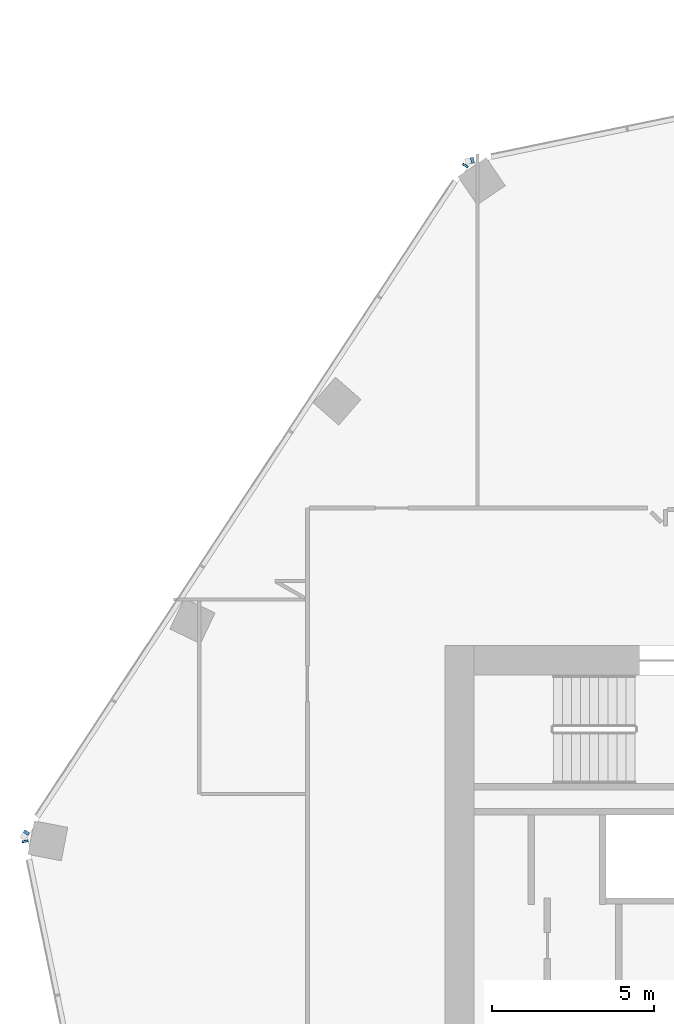
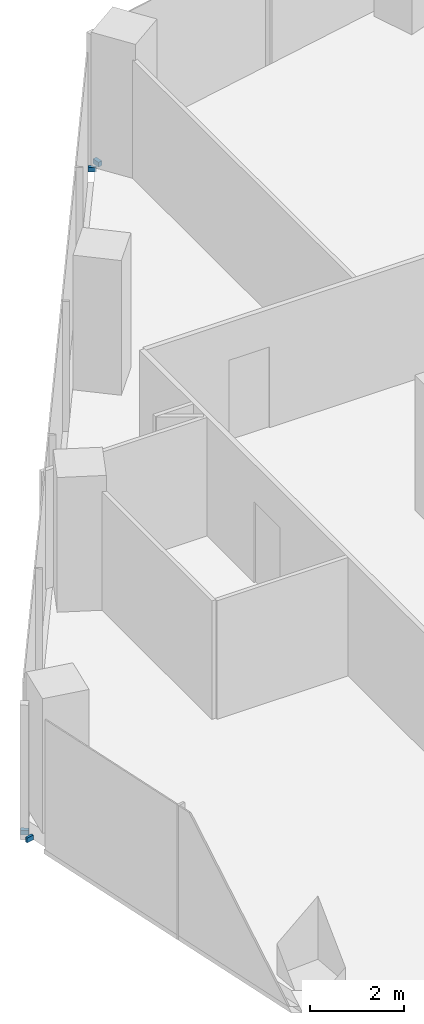
# One storey, part 14 of 24: 4 members, 3 elements without a shape of their own.
"""IFC4 building model written with IfcOpenShell, lengths in metres."""

from ifc_helpers import new_model, si_unit, direction, frame, origin, origin_2d, place, context, subcontext, project, spatial, rectangle, extrude, material, material_profile, profile_set, type_object, element, aggregate, save


model = new_model("IFC4")

# Units and contexts
model_context = context("Model", 3, precision=1e-05, world=origin(), true_north=direction((0.0, 1.0)))
body_context = subcontext(model_context, "Body", "Model", "MODEL_VIEW")
ifc_project = project(units=[si_unit("LENGTHUNIT", "METRE"), si_unit("AREAUNIT", "SQUARE_METRE"), si_unit("VOLUMEUNIT", "CUBIC_METRE"), si_unit("PLANEANGLEUNIT", "RADIAN"), si_unit("MASSUNIT", "GRAM", prefix="KILO")], contexts=[model_context])

# Site, building, storey
site_placement = place(None, origin())
site = spatial("IfcSite", under=ifc_project, at=site_placement, CompositionType="ELEMENT")
building_placement = place(site_placement, origin())
building = spatial("IfcBuilding", under=site, at=building_placement, Name="Orlundy Tower", CompositionType="ELEMENT")
storey_placement = place(building_placement, frame((0.0, 0.0, 239.0)))
storey = spatial("IfcBuildingStorey", under=building, at=storey_placement, Name="L63", CompositionType="ELEMENT", Elevation=239.0)

# Curtain wall, member
ifc_material_1 = material(Name="Aluminium bronze anodised", Category="aluminium")
curtain_wall_type = type_object("IfcCurtainWallType", Name="CW1 wall", PredefinedType="NOTDEFINED", material=ifc_material_1)
curtain_wall_1_placement = place(storey_placement, origin())
curtain_wall_1 = element("IfcCurtainWall", 1, at=curtain_wall_1_placement, inside=storey, type_object=curtain_wall_type, Name="CW1 run 014", PredefinedType="NOTDEFINED")
ifc_material_2 = material(Name="Aluminium bronze anodised", Category="aluminium")
ifc_material_profile = material_profile(ifc_material_2, rectangle(XDim=0.179931640625, YDim=0.1201171875, at=origin_2d()), Name="CW1 transom 180x120")
ifc_profile_set = profile_set([ifc_material_profile], Name="Aluminium bronze anodised")
member_type = type_object("IfcMemberType", Name="CW1 transom 180x120", PredefinedType="USERDEFINED", material=ifc_profile_set)
member_1_placement = place(storey_placement, frame((-31.95068359375, 5.93701171875, -0.340087890625), z_axis=(-0.200746559424, 0.97964320999, 0.0), x_axis=(-0.97964320999, -0.200746559424, 0.0)))
member_1 = element("IfcMember", 2, at=member_1_placement, type_object=member_type, Name="CW1 transom", ObjectType="TRANSOM", PredefinedType="USERDEFINED", context=body_context, shape_type="SweptSolid", body=[
    extrude(rectangle(XDim=0.179931640625, YDim=0.1201171875, at=origin_2d()), origin(), (0.0, 0.0, 1.0), 0.060791015625),
])
aggregate(curtain_wall_1, [member_1])

# Curtain wall, members
curtain_wall_2_placement = place(storey_placement, origin())
curtain_wall_2 = element("IfcCurtainWall", 3, at=curtain_wall_2_placement, inside=storey, type_object=curtain_wall_type, Name="CW1 run 015", PredefinedType="NOTDEFINED")
member_2_placement = place(storey_placement, frame((-31.939208984375, 6.196533203125, -0.340087890625), z_axis=(0.550668630436, 0.834723942063, 0.0), x_axis=(-0.834723942063, 0.550668630436, 0.0)))
member_2 = element("IfcMember", 4, at=member_2_placement, type_object=member_type, Name="CW1 transom", ObjectType="TRANSOM", PredefinedType="USERDEFINED", context=body_context, shape_type="SweptSolid", body=[
    extrude(rectangle(XDim=0.179931640625, YDim=0.1201171875, at=origin_2d()), origin(), (0.0, 0.0, 1.0), 0.097900390625),
])
member_3_placement = place(storey_placement, frame((-18.393798828125, 26.791015625, -0.340087890625), z_axis=(0.550955079868, 0.834534900389, 0.0), x_axis=(-0.834534900389, 0.550955079868, 0.0)))
member_3 = element("IfcMember", 5, at=member_3_placement, type_object=member_type, Name="CW1 transom", ObjectType="TRANSOM", PredefinedType="USERDEFINED", context=body_context, shape_type="SweptSolid", body=[
    extrude(rectangle(XDim=0.179931640625, YDim=0.1201171875, at=origin_2d()), origin(), (0.0, 0.0, 1.0), 0.060302734375),
])
aggregate(curtain_wall_2, [member_2, member_3])

# Curtain wall, member
curtain_wall_3_placement = place(storey_placement, origin())
curtain_wall_3 = element("IfcCurtainWall", 6, at=curtain_wall_3_placement, inside=storey, type_object=curtain_wall_type, Name="CW1 run 016", PredefinedType="NOTDEFINED")
member_4_placement = place(storey_placement, frame((-18.20263671875, 26.9658203125, -0.340087890625), z_axis=(0.979208986995, 0.202854035669, 0.0), x_axis=(-0.202854035669, 0.979208986995, 0.0)))
member_4 = element("IfcMember", 7, at=member_4_placement, type_object=member_type, Name="CW1 transom", ObjectType="TRANSOM", PredefinedType="USERDEFINED", context=body_context, shape_type="SweptSolid", body=[
    extrude(rectangle(XDim=0.179931640625, YDim=0.1201171875, at=origin_2d()), origin(), (0.0, 0.0, 1.0), 0.097412109375),
])
aggregate(curtain_wall_3, [member_4])

save(model, "model.ifc")
